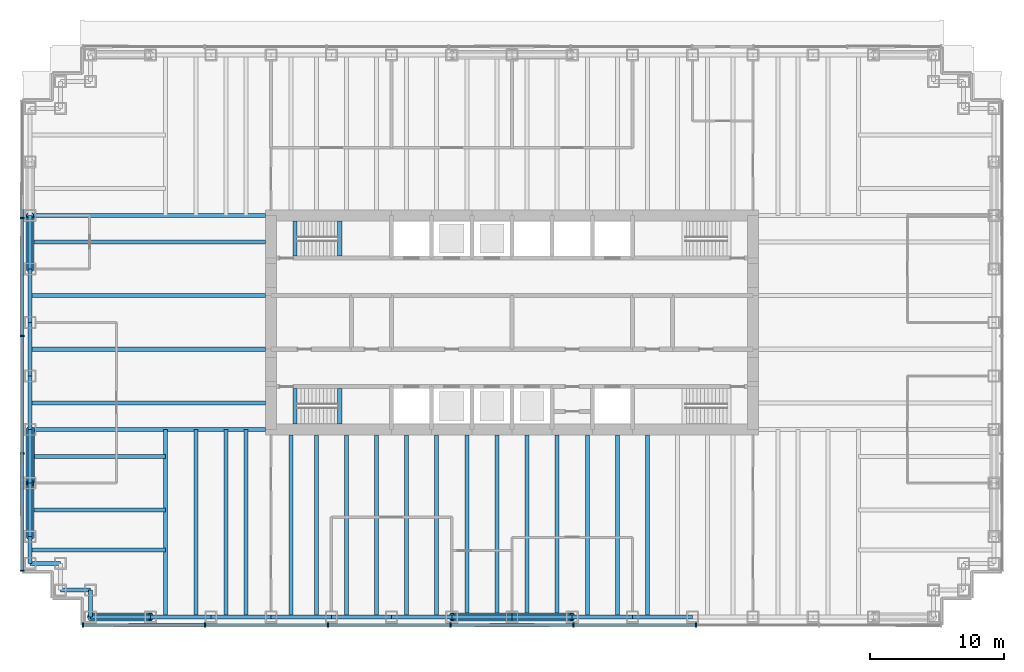
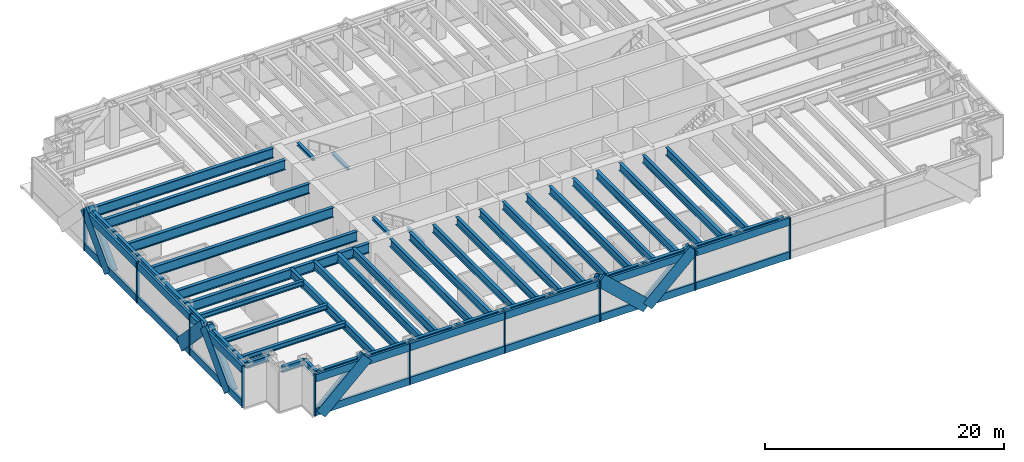
# One storey, part 2 of 14: 50 beams, 38 members, 2 elements without a shape of their own.
"""IFC4 building model written with IfcOpenShell, lengths in metres."""

from ifc_helpers import new_model, si_unit, direction, frame, origin, origin_2d, place, context, subcontext, project, spatial, rectangle, hollow_circle, i_section, extrude, material, material_profile, profile_set, type_object, element, aggregate, save


model = new_model("IFC4")

# Units and contexts
model_context = context("Model", 3, precision=1e-05, world=origin(), true_north=direction((0.0, 1.0)))
body_context = subcontext(model_context, "Body", "Model", "MODEL_VIEW")
ifc_project = project(units=[si_unit("LENGTHUNIT", "METRE"), si_unit("AREAUNIT", "SQUARE_METRE"), si_unit("VOLUMEUNIT", "CUBIC_METRE"), si_unit("PLANEANGLEUNIT", "RADIAN"), si_unit("MASSUNIT", "GRAM", prefix="KILO")], contexts=[model_context])

# Site, building, storey
site_placement = place(None, origin())
site = spatial("IfcSite", under=ifc_project, at=site_placement, CompositionType="ELEMENT")
building_placement = place(site_placement, origin())
building = spatial("IfcBuilding", under=site, at=building_placement, Name="Rheinbord Bourse Tower", CompositionType="ELEMENT")
storey_placement = place(building_placement, frame((0.0, 0.0, 185.800048828125)))
storey = spatial("IfcBuildingStorey", under=building, at=storey_placement, Name="L41", CompositionType="ELEMENT", Elevation=185.800048828125)

# Curtain wall, members
ifc_material_1 = material(Name="Dark glass and black aluminium", Category="aluminium")
curtain_wall_type = type_object("IfcCurtainWallType", Name="CW6 DARK GLASS CURTAIN WALL", PredefinedType="USERDEFINED", material=ifc_material_1)
curtain_wall_1_placement = place(storey_placement, origin())
curtain_wall_1 = element("IfcCurtainWall", 1, at=curtain_wall_1_placement, inside=storey, type_object=curtain_wall_type, Name="Curtain wall CW6 S L41", ObjectType="UNITISED CURTAIN WALL", PredefinedType="USERDEFINED")
ifc_material_2 = material(Name="Black anodised aluminium", Category="aluminium")
ifc_material_profile_1 = material_profile(ifc_material_2, rectangle(XDim=0.219970703125, YDim=1.2099609375, at=origin_2d()), Name="CW6 DIAGONAL MULLION 1210x220")
ifc_profile_set_1 = profile_set([ifc_material_profile_1], Name="Black anodised aluminium")
member_type_1 = type_object("IfcMemberType", Name="CW6 BLACK DIAGONAL MULLION", PredefinedType="USERDEFINED", material=ifc_profile_set_1)
member_1_placement = place(storey_placement, frame((4.5, 1.39990234375, 0.0), z_axis=(0.73105922506, 0.0, 0.682314010889), x_axis=(0.0, 1.0, 0.0)))
member_1 = element("IfcMember", 2, at=member_1_placement, type_object=member_type_1, Name="CW6 diagonal mullion b", ObjectType="DIAGONAL MULLION", PredefinedType="USERDEFINED", context=body_context, shape_type="SweptSolid", body=[
    extrude(rectangle(XDim=0.219970703125, YDim=1.2099609375, at=origin_2d()), origin(), (0.0, 0.0, 1.0), 6.155517578125),
])
member_2_placement = place(storey_placement, frame((36.0, 1.39990234375, 0.0), z_axis=(-0.73105922506, 0.0, 0.682314010889), x_axis=(0.0, -1.0, 0.0)))
member_2 = element("IfcMember", 3, at=member_2_placement, type_object=member_type_1, Name="CW6 diagonal mullion c", ObjectType="DIAGONAL MULLION", PredefinedType="USERDEFINED", context=body_context, shape_type="SweptSolid", body=[
    extrude(rectangle(XDim=0.219970703125, YDim=1.2099609375, at=origin_2d()), origin(), (0.0, 0.0, 1.0), 6.155517578125),
])
member_3_placement = place(storey_placement, frame((36.0, 1.39990234375, 0.0), z_axis=(0.73105922506, 0.0, 0.682314010889), x_axis=(0.0, 1.0, 0.0)))
member_3 = element("IfcMember", 4, at=member_3_placement, type_object=member_type_1, Name="CW6 diagonal mullion d", ObjectType="DIAGONAL MULLION", PredefinedType="USERDEFINED", context=body_context, shape_type="SweptSolid", body=[
    extrude(rectangle(XDim=0.219970703125, YDim=1.2099609375, at=origin_2d()), origin(), (0.0, 0.0, 1.0), 6.155517578125),
])

curtain_wall_2_placement = place(storey_placement, origin())
curtain_wall_2 = element("IfcCurtainWall", 5, at=curtain_wall_2_placement, inside=storey, type_object=curtain_wall_type, Name="Curtain wall CW6 W L41", ObjectType="UNITISED CURTAIN WALL", PredefinedType="USERDEFINED")
member_4_placement = place(storey_placement, frame((-0.60009765625, 28.0, 0.0), z_axis=(0.0, 0.689659376744, 0.724133926887), x_axis=(-1.0, 0.0, 0.0)))
member_4 = element("IfcMember", 6, at=member_4_placement, type_object=member_type_1, Name="CW6 diagonal mullion a", ObjectType="DIAGONAL MULLION", PredefinedType="USERDEFINED", context=body_context, shape_type="SweptSolid", body=[
    extrude(rectangle(XDim=0.219970703125, YDim=1.2099609375, at=origin_2d()), origin(), (0.0, 0.0, 1.0), 5.800048828125),
])
member_5_placement = place(storey_placement, frame((-0.60009765625, 16.0, 0.0), z_axis=(0.0, -0.689659376744, 0.724133926887), x_axis=(1.0, 0.0, 0.0)))
member_5 = element("IfcMember", 7, at=member_5_placement, type_object=member_type_1, Name="CW6 diagonal mullion b", ObjectType="DIAGONAL MULLION", PredefinedType="USERDEFINED", context=body_context, shape_type="SweptSolid", body=[
    extrude(rectangle(XDim=0.219970703125, YDim=1.2099609375, at=origin_2d()), origin(), (0.0, 0.0, 1.0), 5.800048828125),
])
member_6_placement = place(storey_placement, frame((-0.60009765625, 8.0, 0.0), z_axis=(0.0, 0.689659376744, 0.724133926887), x_axis=(-1.0, 0.0, 0.0)))
member_6 = element("IfcMember", 8, at=member_6_placement, type_object=member_type_1, Name="CW6 diagonal mullion d", ObjectType="DIAGONAL MULLION", PredefinedType="USERDEFINED", context=body_context, shape_type="SweptSolid", body=[
    extrude(rectangle(XDim=0.219970703125, YDim=1.2099609375, at=origin_2d()), origin(), (0.0, 0.0, 1.0), 5.800048828125),
])

# Member
ifc_material_3 = material(Name="Black anodised aluminium", Category="aluminium")
ifc_material_profile_2 = material_profile(ifc_material_3, rectangle(XDim=0.320068359375, YDim=0.10009765625, at=origin_2d()), Name="CW6 MULLION 100x320")
ifc_profile_set_2 = profile_set([ifc_material_profile_2], Name="Black anodised aluminium")
member_type_2 = type_object("IfcMemberType", Name="CW6 BLACK MULLION", PredefinedType="MULLION", material=ifc_profile_set_2)
member_7_placement = place(storey_placement, frame((3.949951171875, 1.39990234375, 0.0), z_axis=(0.0, 0.0, 1.0), x_axis=(0.0, 1.0, 0.0)))
member_7 = element("IfcMember", 9, at=member_7_placement, type_object=member_type_2, Name="CW6 mullion 1", PredefinedType="MULLION", context=body_context, shape_type="SweptSolid", body=[
    extrude(rectangle(XDim=0.320068359375, YDim=0.10009765625, at=origin_2d()), origin(), (0.0, 0.0, 1.0), 4.199951171875),
])

member_8_placement = place(storey_placement, frame((13.071533203125, 1.39990234375, 0.0), z_axis=(0.0, 0.0, 1.0), x_axis=(0.0, 1.0, 0.0)))
member_8 = element("IfcMember", 10, at=member_8_placement, type_object=member_type_2, Name="CW6 mullion 2", PredefinedType="MULLION", context=body_context, shape_type="SweptSolid", body=[
    extrude(rectangle(XDim=0.320068359375, YDim=0.10009765625, at=origin_2d()), origin(), (0.0, 0.0, 1.0), 4.199951171875),
])

member_9_placement = place(storey_placement, frame((22.242919921875, 1.39990234375, 0.0), z_axis=(0.0, 0.0, 1.0), x_axis=(0.0, 1.0, 0.0)))
member_9 = element("IfcMember", 11, at=member_9_placement, type_object=member_type_2, Name="CW6 mullion 3", PredefinedType="MULLION", context=body_context, shape_type="SweptSolid", body=[
    extrude(rectangle(XDim=0.320068359375, YDim=0.10009765625, at=origin_2d()), origin(), (0.0, 0.0, 1.0), 4.199951171875),
])

member_10_placement = place(storey_placement, frame((31.414306640625, 1.39990234375, 0.0), z_axis=(0.0, 0.0, 1.0), x_axis=(0.0, 1.0, 0.0)))
member_10 = element("IfcMember", 12, at=member_10_placement, type_object=member_type_2, Name="CW6 mullion 4", PredefinedType="MULLION", context=body_context, shape_type="SweptSolid", body=[
    extrude(rectangle(XDim=0.320068359375, YDim=0.10009765625, at=origin_2d()), origin(), (0.0, 0.0, 1.0), 4.199951171875),
])

member_11_placement = place(storey_placement, frame((40.585693359375, 1.39990234375, 0.0), z_axis=(0.0, 0.0, 1.0), x_axis=(0.0, 1.0, 0.0)))
member_11 = element("IfcMember", 13, at=member_11_placement, type_object=member_type_2, Name="CW6 mullion 5", PredefinedType="MULLION", context=body_context, shape_type="SweptSolid", body=[
    extrude(rectangle(XDim=0.320068359375, YDim=0.10009765625, at=origin_2d()), origin(), (0.0, 0.0, 1.0), 4.199951171875),
])

member_12_placement = place(storey_placement, frame((49.757080078125, 1.39990234375, 0.0), z_axis=(0.0, 0.0, 1.0), x_axis=(0.0, 1.0, 0.0)))
member_12 = element("IfcMember", 14, at=member_12_placement, type_object=member_type_2, Name="CW6 mullion 6", PredefinedType="MULLION", context=body_context, shape_type="SweptSolid", body=[
    extrude(rectangle(XDim=0.320068359375, YDim=0.10009765625, at=origin_2d()), origin(), (0.0, 0.0, 1.0), 4.199951171875),
])

member_13_placement = place(storey_placement, frame((-0.60009765625, 31.800048828125, 0.0), z_axis=(0.0, 0.0, 1.0), x_axis=(1.0, 0.0, 0.0)))
member_13 = element("IfcMember", 15, at=member_13_placement, type_object=member_type_2, Name="CW6 mullion 2", PredefinedType="MULLION", context=body_context, shape_type="SweptSolid", body=[
    extrude(rectangle(XDim=0.320068359375, YDim=0.10009765625, at=origin_2d()), origin(), (0.0, 0.0, 1.0), 4.199951171875),
])

member_14_placement = place(storey_placement, frame((-0.60009765625, 23.0, 0.0), z_axis=(0.0, 0.0, 1.0), x_axis=(1.0, 0.0, 0.0)))
member_14 = element("IfcMember", 16, at=member_14_placement, type_object=member_type_2, Name="CW6 mullion 3", PredefinedType="MULLION", context=body_context, shape_type="SweptSolid", body=[
    extrude(rectangle(XDim=0.320068359375, YDim=0.10009765625, at=origin_2d()), origin(), (0.0, 0.0, 1.0), 4.199951171875),
])

member_15_placement = place(storey_placement, frame((-0.60009765625, 14.199951171875, 0.0), z_axis=(0.0, 0.0, 1.0), x_axis=(1.0, 0.0, 0.0)))
member_15 = element("IfcMember", 17, at=member_15_placement, type_object=member_type_2, Name="CW6 mullion 4", PredefinedType="MULLION", context=body_context, shape_type="SweptSolid", body=[
    extrude(rectangle(XDim=0.320068359375, YDim=0.10009765625, at=origin_2d()), origin(), (0.0, 0.0, 1.0), 4.199951171875),
])

member_16_placement = place(storey_placement, frame((-0.60009765625, 5.449951171875, 0.0), z_axis=(0.0, 0.0, 1.0), x_axis=(1.0, 0.0, 0.0)))
member_16 = element("IfcMember", 18, at=member_16_placement, type_object=member_type_2, Name="CW6 mullion 5", PredefinedType="MULLION", context=body_context, shape_type="SweptSolid", body=[
    extrude(rectangle(XDim=0.320068359375, YDim=0.10009765625, at=origin_2d()), origin(), (0.0, 0.0, 1.0), 4.199951171875),
])

ifc_material_4 = material(Name="Black anodised aluminium", Category="aluminium")
ifc_material_profile_3 = material_profile(ifc_material_4, rectangle(XDim=0.219970703125, YDim=0.75, at=origin_2d()), Name="CW6 TRANSOM 750x220")
ifc_profile_set_3 = profile_set([ifc_material_profile_3], Name="Black anodised aluminium")
member_type_3 = type_object("IfcMemberType", Name="CW6 BLACK TRANSOM", PredefinedType="USERDEFINED", material=ifc_profile_set_3)
member_17_placement = place(storey_placement, frame((4.0, 1.39990234375, 0.375), z_axis=(1.0, 0.0, 0.0), x_axis=(0.0, 1.0, 0.0)))
member_17 = element("IfcMember", 19, at=member_17_placement, type_object=member_type_3, Name="CW6 transom 1.1", ObjectType="TRANSOM", PredefinedType="USERDEFINED", context=body_context, shape_type="SweptSolid", body=[
    extrude(rectangle(XDim=0.219970703125, YDim=0.75, at=origin_2d()), origin(), (0.0, 0.0, 1.0), 9.021484375),
])

member_18_placement = place(storey_placement, frame((4.0, 1.39990234375, 3.824951171875), z_axis=(1.0, 0.0, 0.0), x_axis=(0.0, 1.0, 0.0)))
member_18 = element("IfcMember", 20, at=member_18_placement, type_object=member_type_3, Name="CW6 transom 1.2", ObjectType="TRANSOM", PredefinedType="USERDEFINED", context=body_context, shape_type="SweptSolid", body=[
    extrude(rectangle(XDim=0.219970703125, YDim=0.75, at=origin_2d()), origin(), (0.0, 0.0, 1.0), 9.021484375),
])

member_19_placement = place(storey_placement, frame((13.121337890625, 1.39990234375, 0.375), z_axis=(1.0, 0.0, 0.0), x_axis=(0.0, 1.0, 0.0)))
member_19 = element("IfcMember", 21, at=member_19_placement, type_object=member_type_3, Name="CW6 transom 2.1", ObjectType="TRANSOM", PredefinedType="USERDEFINED", context=body_context, shape_type="SweptSolid", body=[
    extrude(rectangle(XDim=0.219970703125, YDim=0.75, at=origin_2d()), origin(), (0.0, 0.0, 1.0), 9.071533203125),
])

member_20_placement = place(storey_placement, frame((13.121337890625, 1.39990234375, 3.824951171875), z_axis=(1.0, 0.0, 0.0), x_axis=(0.0, 1.0, 0.0)))
member_20 = element("IfcMember", 22, at=member_20_placement, type_object=member_type_3, Name="CW6 transom 2.2", ObjectType="TRANSOM", PredefinedType="USERDEFINED", context=body_context, shape_type="SweptSolid", body=[
    extrude(rectangle(XDim=0.219970703125, YDim=0.75, at=origin_2d()), origin(), (0.0, 0.0, 1.0), 9.071533203125),
])

member_21_placement = place(storey_placement, frame((22.29296875, 1.39990234375, 0.375), z_axis=(1.0, 0.0, 0.0), x_axis=(0.0, 1.0, 0.0)))
member_21 = element("IfcMember", 23, at=member_21_placement, type_object=member_type_3, Name="CW6 transom 3.1", ObjectType="TRANSOM", PredefinedType="USERDEFINED", context=body_context, shape_type="SweptSolid", body=[
    extrude(rectangle(XDim=0.219970703125, YDim=0.75, at=origin_2d()), origin(), (0.0, 0.0, 1.0), 9.0712890625),
])

member_22_placement = place(storey_placement, frame((22.29296875, 1.39990234375, 3.824951171875), z_axis=(1.0, 0.0, 0.0), x_axis=(0.0, 1.0, 0.0)))
member_22 = element("IfcMember", 24, at=member_22_placement, type_object=member_type_3, Name="CW6 transom 3.2", ObjectType="TRANSOM", PredefinedType="USERDEFINED", context=body_context, shape_type="SweptSolid", body=[
    extrude(rectangle(XDim=0.219970703125, YDim=0.75, at=origin_2d()), origin(), (0.0, 0.0, 1.0), 9.0712890625),
])

member_23_placement = place(storey_placement, frame((31.46435546875, 1.39990234375, 0.375), z_axis=(1.0, 0.0, 0.0), x_axis=(0.0, 1.0, 0.0)))
member_23 = element("IfcMember", 25, at=member_23_placement, type_object=member_type_3, Name="CW6 transom 4.1", ObjectType="TRANSOM", PredefinedType="USERDEFINED", context=body_context, shape_type="SweptSolid", body=[
    extrude(rectangle(XDim=0.219970703125, YDim=0.75, at=origin_2d()), origin(), (0.0, 0.0, 1.0), 9.0712890625),
])

member_24_placement = place(storey_placement, frame((31.46435546875, 1.39990234375, 3.824951171875), z_axis=(1.0, 0.0, 0.0), x_axis=(0.0, 1.0, 0.0)))
member_24 = element("IfcMember", 26, at=member_24_placement, type_object=member_type_3, Name="CW6 transom 4.2", ObjectType="TRANSOM", PredefinedType="USERDEFINED", context=body_context, shape_type="SweptSolid", body=[
    extrude(rectangle(XDim=0.219970703125, YDim=0.75, at=origin_2d()), origin(), (0.0, 0.0, 1.0), 9.0712890625),
])

member_25_placement = place(storey_placement, frame((40.6357421875, 1.39990234375, 0.375), z_axis=(1.0, 0.0, 0.0), x_axis=(0.0, 1.0, 0.0)))
member_25 = element("IfcMember", 27, at=member_25_placement, type_object=member_type_3, Name="CW6 transom 5.1", ObjectType="TRANSOM", PredefinedType="USERDEFINED", context=body_context, shape_type="SweptSolid", body=[
    extrude(rectangle(XDim=0.219970703125, YDim=0.75, at=origin_2d()), origin(), (0.0, 0.0, 1.0), 9.0712890625),
])

member_26_placement = place(storey_placement, frame((40.6357421875, 1.39990234375, 3.824951171875), z_axis=(1.0, 0.0, 0.0), x_axis=(0.0, 1.0, 0.0)))
member_26 = element("IfcMember", 28, at=member_26_placement, type_object=member_type_3, Name="CW6 transom 5.2", ObjectType="TRANSOM", PredefinedType="USERDEFINED", context=body_context, shape_type="SweptSolid", body=[
    extrude(rectangle(XDim=0.219970703125, YDim=0.75, at=origin_2d()), origin(), (0.0, 0.0, 1.0), 9.0712890625),
])

aggregate(curtain_wall_1, [member_7, member_8, member_9, member_10, member_11, member_12, member_17, member_18, member_19, member_20, member_21, member_22, member_23, member_24, member_25, member_26, member_1, member_2, member_3])

member_27_placement = place(storey_placement, frame((-0.60009765625, 31.75, 0.375), z_axis=(0.0, -1.0, 0.0), x_axis=(1.0, 0.0, 0.0)))
member_27 = element("IfcMember", 29, at=member_27_placement, type_object=member_type_3, Name="CW6 transom 2.1", ObjectType="TRANSOM", PredefinedType="USERDEFINED", context=body_context, shape_type="SweptSolid", body=[
    extrude(rectangle(XDim=0.219970703125, YDim=0.75, at=origin_2d()), origin(), (0.0, 0.0, 1.0), 8.699951171875),
])

member_28_placement = place(storey_placement, frame((-0.60009765625, 31.75, 3.824951171875), z_axis=(0.0, -1.0, 0.0), x_axis=(1.0, 0.0, 0.0)))
member_28 = element("IfcMember", 30, at=member_28_placement, type_object=member_type_3, Name="CW6 transom 2.2", ObjectType="TRANSOM", PredefinedType="USERDEFINED", context=body_context, shape_type="SweptSolid", body=[
    extrude(rectangle(XDim=0.219970703125, YDim=0.75, at=origin_2d()), origin(), (0.0, 0.0, 1.0), 8.699951171875),
])

member_29_placement = place(storey_placement, frame((-0.60009765625, 22.949951171875, 0.375), z_axis=(0.0, -1.0, 0.0), x_axis=(1.0, 0.0, 0.0)))
member_29 = element("IfcMember", 31, at=member_29_placement, type_object=member_type_3, Name="CW6 transom 3.1", ObjectType="TRANSOM", PredefinedType="USERDEFINED", context=body_context, shape_type="SweptSolid", body=[
    extrude(rectangle(XDim=0.219970703125, YDim=0.75, at=origin_2d()), origin(), (0.0, 0.0, 1.0), 8.699951171875),
])

member_30_placement = place(storey_placement, frame((-0.60009765625, 22.949951171875, 3.824951171875), z_axis=(0.0, -1.0, 0.0), x_axis=(1.0, 0.0, 0.0)))
member_30 = element("IfcMember", 32, at=member_30_placement, type_object=member_type_3, Name="CW6 transom 3.2", ObjectType="TRANSOM", PredefinedType="USERDEFINED", context=body_context, shape_type="SweptSolid", body=[
    extrude(rectangle(XDim=0.219970703125, YDim=0.75, at=origin_2d()), origin(), (0.0, 0.0, 1.0), 8.699951171875),
])

member_31_placement = place(storey_placement, frame((-0.60009765625, 14.14990234375, 0.375), z_axis=(0.0, -1.0, 0.0), x_axis=(1.0, 0.0, 0.0)))
member_31 = element("IfcMember", 33, at=member_31_placement, type_object=member_type_3, Name="CW6 transom 4.1", ObjectType="TRANSOM", PredefinedType="USERDEFINED", context=body_context, shape_type="SweptSolid", body=[
    extrude(rectangle(XDim=0.219970703125, YDim=0.75, at=origin_2d()), origin(), (0.0, 0.0, 1.0), 8.64990234375),
])

member_32_placement = place(storey_placement, frame((-0.60009765625, 14.14990234375, 3.824951171875), z_axis=(0.0, -1.0, 0.0), x_axis=(1.0, 0.0, 0.0)))
member_32 = element("IfcMember", 34, at=member_32_placement, type_object=member_type_3, Name="CW6 transom 4.2", ObjectType="TRANSOM", PredefinedType="USERDEFINED", context=body_context, shape_type="SweptSolid", body=[
    extrude(rectangle(XDim=0.219970703125, YDim=0.75, at=origin_2d()), origin(), (0.0, 0.0, 1.0), 8.64990234375),
])

aggregate(curtain_wall_2, [member_13, member_14, member_15, member_16, member_27, member_28, member_29, member_30, member_31, member_32, member_4, member_5, member_6])

# Beams
ifc_material_5 = material(Name="Steel S460", Category="steel")
ifc_material_profile_4 = material_profile(ifc_material_5, i_section(OverallWidth=0.302001953125, OverallDepth=1.008056640625, WebThickness=0.02099609375, FlangeThickness=0.0400390625, at=origin_2d()), Name="HEM 1000")
ifc_profile_set_4 = profile_set([ifc_material_profile_4], Name="Steel S460")
beam_type_1 = type_object("IfcBeamType", Name="END BEAM HEM 1000", PredefinedType="BEAM", material=ifc_profile_set_4)
for number, where, z_axis, x_axis, name in (
    (35, (0.0, 18.0, 3.535888671875), (1.0, 0.0, 0.0), (0.0, 1.0, 0.0), "End beam west 18 L42"),
    (36, (0.0, 22.0, 3.535888671875), (1.0, 0.0, 0.0), (0.0, 1.0, 0.0), "End beam west 22 L42"),
    (37, (0.0, 26.0, 3.535888671875), (1.0, 0.0, 0.0), (0.0, 1.0, 0.0), "End beam west 26 L42"),
    (38, (0.0, 30.0, 3.535888671875), (1.0, 0.0, 0.0), (0.0, 1.0, 0.0), "End beam west 30 L42"),
):
    element("IfcBeam", number, at=place(storey_placement, frame(where, z_axis=z_axis, x_axis=x_axis)), inside=storey, type_object=beam_type_1, Name=name, PredefinedType="BEAM", context=body_context, shape_type="SweptSolid", body=[
        extrude(i_section(OverallWidth=0.302001953125, OverallDepth=1.008056640625, WebThickness=0.02099609375, FlangeThickness=0.0400390625, at=origin_2d()), origin(), (0.0, 0.0, 1.0), 17.60009765625),
    ])
ifc_material_6 = material(Name="Steel S460", Category="steel")
ifc_material_profile_5 = material_profile(ifc_material_6, i_section(OverallWidth=0.300048828125, OverallDepth=0.800048828125, WebThickness=0.017578125, FlangeThickness=0.032958984375, at=origin_2d()), Name="HEB 800")
ifc_profile_set_5 = profile_set([ifc_material_profile_5], Name="Steel S460")
beam_type_2 = type_object("IfcBeamType", Name="FLOOR BEAM HEB 800", PredefinedType="BEAM", material=ifc_profile_set_5)
for number, where, z_axis, x_axis, name in (
    (39, (10.125, 2.0, 3.639892578125), (0.0, 1.0, 0.0), (-1.0, 0.0, 0.0), "Floor beam S-9a L42"),
    (40, (12.375, 2.0, 3.639892578125), (0.0, 1.0, 0.0), (-1.0, 0.0, 0.0), "Floor beam S-9b L42"),
    (41, (14.625, 2.0, 3.639892578125), (0.0, 1.0, 0.0), (-1.0, 0.0, 0.0), "Floor beam S-13.5a L42"),
    (42, (16.125, 2.0, 3.639892578125), (0.0, 1.0, 0.0), (-1.0, 0.0, 0.0), "Floor beam S-13.5b L42"),
):
    element("IfcBeam", number, at=place(storey_placement, frame(where, z_axis=z_axis, x_axis=x_axis)), inside=storey, type_object=beam_type_2, Name=name, PredefinedType="BEAM", context=body_context, shape_type="SweptSolid", body=[
        extrude(i_section(OverallWidth=0.300048828125, OverallDepth=0.800048828125, WebThickness=0.017578125, FlangeThickness=0.032958984375, at=origin_2d()), origin(), (0.0, 0.0, 1.0), 14.0),
    ])
for number, where, z_axis, x_axis, name in (
    (43, (19.5, 2.0, 3.639892578125), (0.0, 1.0, 0.0), (-1.0, 0.0, 0.0), "Floor beam S-18a L42"),
    (44, (21.375, 2.0, 3.639892578125), (0.0, 1.0, 0.0), (-1.0, 0.0, 0.0), "Floor beam S-18b L42"),
    (45, (23.625, 2.0, 3.639892578125), (0.0, 1.0, 0.0), (-1.0, 0.0, 0.0), "Floor beam S-22.5a L42"),
    (46, (25.875, 2.0, 3.639892578125), (0.0, 1.0, 0.0), (-1.0, 0.0, 0.0), "Floor beam S-22.5b L42"),
    (47, (28.125, 2.0, 3.639892578125), (0.0, 1.0, 0.0), (-1.0, 0.0, 0.0), "Floor beam S-27a L42"),
    (48, (30.375, 2.0, 3.639892578125), (0.0, 1.0, 0.0), (-1.0, 0.0, 0.0), "Floor beam S-27b L42"),
    (49, (32.625, 2.0, 3.639892578125), (0.0, 1.0, 0.0), (-1.0, 0.0, 0.0), "Floor beam S-31.5a L42"),
    (50, (34.875, 2.0, 3.639892578125), (0.0, 1.0, 0.0), (-1.0, 0.0, 0.0), "Floor beam S-31.5b L42"),
    (51, (37.125, 2.0, 3.639892578125), (0.0, 1.0, 0.0), (-1.0, 0.0, 0.0), "Floor beam S-36a L42"),
    (52, (39.375, 2.0, 3.639892578125), (0.0, 1.0, 0.0), (-1.0, 0.0, 0.0), "Floor beam S-36b L42"),
    (53, (41.625, 2.0, 3.639892578125), (0.0, 1.0, 0.0), (-1.0, 0.0, 0.0), "Floor beam S-40.5a L42"),
    (54, (43.875, 2.0, 3.639892578125), (0.0, 1.0, 0.0), (-1.0, 0.0, 0.0), "Floor beam S-40.5b L42"),
    (55, (46.125, 2.0, 3.639892578125), (0.0, 1.0, 0.0), (-1.0, 0.0, 0.0), "Floor beam S-45a L42"),
):
    element("IfcBeam", number, at=place(storey_placement, frame(where, z_axis=z_axis, x_axis=x_axis)), inside=storey, type_object=beam_type_2, Name=name, PredefinedType="BEAM", context=body_context, shape_type="SweptSolid", body=[
        extrude(i_section(OverallWidth=0.300048828125, OverallDepth=0.800048828125, WebThickness=0.017578125, FlangeThickness=0.032958984375, at=origin_2d()), origin(), (0.0, 0.0, 1.0), 13.60009765625),
    ])
ifc_material_7 = material(Name="Steel S460", Category="steel")
ifc_material_profile_6 = material_profile(ifc_material_7, i_section(OverallWidth=0.302001953125, OverallDepth=1.008056640625, WebThickness=0.02099609375, FlangeThickness=0.0400390625, at=origin_2d()), Name="HEM 1000")
ifc_profile_set_6 = profile_set([ifc_material_profile_6], Name="Steel S460")
beam_type_3 = type_object("IfcBeamType", Name="GIRDER HEM 1000", PredefinedType="BEAM", material=ifc_profile_set_6)
for number, where, z_axis, x_axis, name in (
    (56, (0.0, 16.0, 3.535888671875), (1.0, 0.0, 0.0), (0.0, 1.0, 0.0), "Girder west 16 L42"),
    (57, (0.0, 32.0, 3.535888671875), (1.0, 0.0, 0.0), (0.0, 1.0, 0.0), "Girder west 32 L42"),
):
    element("IfcBeam", number, at=place(storey_placement, frame(where, z_axis=z_axis, x_axis=x_axis)), inside=storey, type_object=beam_type_3, Name=name, PredefinedType="BEAM", context=body_context, shape_type="SweptSolid", body=[
        extrude(i_section(OverallWidth=0.302001953125, OverallDepth=1.008056640625, WebThickness=0.02099609375, FlangeThickness=0.0400390625, at=origin_2d()), origin(), (0.0, 0.0, 1.0), 17.60009765625),
    ])
ifc_material_8 = material(Name="Steel S460", Category="steel")
ifc_material_profile_7 = material_profile(ifc_material_8, i_section(OverallWidth=0.300048828125, OverallDepth=0.300048828125, WebThickness=0.010986328125, FlangeThickness=0.01904296875, at=origin_2d()), Name="HEB 300")
ifc_profile_set_7 = profile_set([ifc_material_profile_7], Name="Steel S460")
beam_type_4 = type_object("IfcBeamType", Name="LANDING TRIMMER HEB 300", PredefinedType="BEAM", material=ifc_profile_set_7)
for number, where, z_axis, x_axis, name in (
    (58, (23.1298828125, 16.39990234375, 1.75), (0.0, 1.0, 0.0), (-1.0, 0.0, 0.0), "Landing trimmer ST1 L41"),
    (59, (19.800048828125, 16.39990234375, 3.889892578125), (0.0, 1.0, 0.0), (-1.0, 0.0, 0.0), "Well trimmer ST1 under L42"),
    (60, (23.1298828125, 28.949951171875, 1.75), (0.0, 1.0, 0.0), (-1.0, 0.0, 0.0), "Landing trimmer ST2 L41"),
    (61, (19.800048828125, 28.949951171875, 3.889892578125), (0.0, 1.0, 0.0), (-1.0, 0.0, 0.0), "Well trimmer ST2 under L42"),
):
    element("IfcBeam", number, at=place(storey_placement, frame(where, z_axis=z_axis, x_axis=x_axis)), inside=storey, type_object=beam_type_4, Name=name, PredefinedType="BEAM", context=body_context, shape_type="SweptSolid", body=[
        extrude(i_section(OverallWidth=0.300048828125, OverallDepth=0.300048828125, WebThickness=0.010986328125, FlangeThickness=0.01904296875, at=origin_2d()), origin(), (0.0, 0.0, 1.0), 2.650146484375),
    ])

# Members
ifc_material_9 = material(Name="Steel S460", Category="steel")
ifc_material_profile_8 = material_profile(ifc_material_9, hollow_circle(Radius=0.304931640625, WallThickness=0.0400390625, at=origin_2d()), Name="CHS 610x40")
ifc_profile_set_8 = profile_set([ifc_material_profile_8], Name="Steel S460")
member_type_4 = type_object("IfcMemberType", Name="MEGABRACE CHS 610x40", PredefinedType="BRACE", material=ifc_profile_set_8)
for number, where, z_axis, x_axis, name in (
    (62, (4.5, 2.0, 0.0), (0.73105922506, 0.0, 0.682314010889), (0.0, 1.0, 0.0), "Megabrace S face line b L41"),
    (63, (36.0, 2.0, 0.0), (-0.73105922506, 0.0, 0.682314010889), (0.0, -1.0, 0.0), "Megabrace S face line c L41"),
    (64, (36.0, 2.0, 0.0), (0.73105922506, 0.0, 0.682314010889), (0.0, 1.0, 0.0), "Megabrace S face line d L41"),
):
    element("IfcMember", number, at=place(storey_placement, frame(where, z_axis=z_axis, x_axis=x_axis)), inside=storey, type_object=member_type_4, Name=name, PredefinedType="BRACE", context=body_context, shape_type="SweptSolid", body=[
        extrude(hollow_circle(Radius=0.304931640625, WallThickness=0.0400390625, at=origin_2d()), origin(), (0.0, 0.0, 1.0), 6.155517578125),
    ])
for number, where, z_axis, x_axis, name in (
    (65, (0.0, 28.0, 0.0), (0.0, 0.689659376744, 0.724133926887), (-1.0, 0.0, 0.0), "Megabrace W face line a L41"),
    (66, (0.0, 16.0, 0.0), (0.0, -0.689659376744, 0.724133926887), (1.0, 0.0, 0.0), "Megabrace W face line b L41"),
    (67, (0.0, 8.0, 0.0), (0.0, 0.689659376744, 0.724133926887), (-1.0, 0.0, 0.0), "Megabrace W face line d L41"),
):
    element("IfcMember", number, at=place(storey_placement, frame(where, z_axis=z_axis, x_axis=x_axis)), inside=storey, type_object=member_type_4, Name=name, PredefinedType="BRACE", context=body_context, shape_type="SweptSolid", body=[
        extrude(hollow_circle(Radius=0.304931640625, WallThickness=0.0400390625, at=origin_2d()), origin(), (0.0, 0.0, 1.0), 5.800048828125),
    ])

# Beams
ifc_material_10 = material(Name="Steel S460", Category="steel")
ifc_material_profile_9 = material_profile(ifc_material_10, i_section(OverallWidth=0.300048828125, OverallDepth=0.60009765625, WebThickness=0.015380859375, FlangeThickness=0.030029296875, at=origin_2d()), Name="HEB 600")
ifc_profile_set_9 = profile_set([ifc_material_profile_9], Name="Steel S460")
beam_type_5 = type_object("IfcBeamType", Name="SPANDREL HEB 600", PredefinedType="SPANDREL", material=ifc_profile_set_9)
for number, where, z_axis, x_axis, name in (
    (68, (4.5, 2.0, 3.739990234375), (1.0, 0.0, 0.0), (0.0, 1.0, 0.0), "Spandrel SW-E-S-9 under L42"),
    (69, (9.0, 2.0, 3.739990234375), (1.0, 0.0, 0.0), (0.0, 1.0, 0.0), "Spandrel S-9-S-13.5 under L42"),
    (70, (13.5, 2.0, 3.739990234375), (1.0, 0.0, 0.0), (0.0, 1.0, 0.0), "Spandrel S-13.5-S-18 under L42"),
    (71, (18.0, 2.0, 3.739990234375), (1.0, 0.0, 0.0), (0.0, 1.0, 0.0), "Spandrel S-18-S-22.5 under L42"),
    (72, (22.5, 2.0, 3.739990234375), (1.0, 0.0, 0.0), (0.0, 1.0, 0.0), "Spandrel S-22.5-S-27 under L42"),
    (73, (27.0, 2.0, 3.739990234375), (1.0, 0.0, 0.0), (0.0, 1.0, 0.0), "Spandrel S-27-S-31.5 under L42"),
    (74, (31.5, 2.0, 3.739990234375), (1.0, 0.0, 0.0), (0.0, 1.0, 0.0), "Spandrel S-31.5-S-36 under L42"),
    (75, (36.0, 2.0, 3.739990234375), (1.0, 0.0, 0.0), (0.0, 1.0, 0.0), "Spandrel S-36-S-40.5 under L42"),
    (76, (40.5, 2.0, 3.739990234375), (1.0, 0.0, 0.0), (0.0, 1.0, 0.0), "Spandrel S-40.5-S-45 under L42"),
    (77, (45.0, 2.0, 3.739990234375), (1.0, 0.0, 0.0), (0.0, 1.0, 0.0), "Spandrel S-45-S-49.5 under L42"),
):
    element("IfcBeam", number, at=place(storey_placement, frame(where, z_axis=z_axis, x_axis=x_axis)), inside=storey, type_object=beam_type_5, Name=name, PredefinedType="SPANDREL", context=body_context, shape_type="SweptSolid", body=[
        extrude(i_section(OverallWidth=0.300048828125, OverallDepth=0.60009765625, WebThickness=0.015380859375, FlangeThickness=0.030029296875, at=origin_2d()), origin(), (0.0, 0.0, 1.0), 4.5),
    ])
for number, where, z_axis, x_axis, name in (
    (78, (0.0, 32.0, 3.739990234375), (0.0, -1.0, 0.0), (1.0, 0.0, 0.0), "Spandrel W-32-W-28 under L42"),
    (79, (0.0, 28.0, 3.739990234375), (0.0, -1.0, 0.0), (1.0, 0.0, 0.0), "Spandrel W-28-W-24 under L42"),
    (80, (0.0, 24.0, 3.739990234375), (0.0, -1.0, 0.0), (1.0, 0.0, 0.0), "Spandrel W-24-W-20 under L42"),
    (81, (0.0, 20.0, 3.739990234375), (0.0, -1.0, 0.0), (1.0, 0.0, 0.0), "Spandrel W-20-W-16 under L42"),
    (82, (0.0, 16.0, 3.739990234375), (0.0, -1.0, 0.0), (1.0, 0.0, 0.0), "Spandrel W-16-W-12 under L42"),
    (83, (0.0, 12.0, 3.739990234375), (0.0, -1.0, 0.0), (1.0, 0.0, 0.0), "Spandrel W-12-W-8 under L42"),
):
    element("IfcBeam", number, at=place(storey_placement, frame(where, z_axis=z_axis, x_axis=x_axis)), inside=storey, type_object=beam_type_5, Name=name, PredefinedType="SPANDREL", context=body_context, shape_type="SweptSolid", body=[
        extrude(i_section(OverallWidth=0.300048828125, OverallDepth=0.60009765625, WebThickness=0.015380859375, FlangeThickness=0.030029296875, at=origin_2d()), origin(), (0.0, 0.0, 1.0), 4.0),
    ])
beam_1_placement = place(storey_placement, frame((0.0, 8.0, 3.739990234375), z_axis=(0.0, -1.0, 0.0), x_axis=(1.0, 0.0, 0.0)))
element("IfcBeam", 84, at=beam_1_placement, inside=storey, type_object=beam_type_5, Name="Spandrel W-8-SW-A under L42", PredefinedType="SPANDREL", context=body_context, shape_type="SweptSolid", body=[
    extrude(i_section(OverallWidth=0.300048828125, OverallDepth=0.60009765625, WebThickness=0.015380859375, FlangeThickness=0.030029296875, at=origin_2d()), origin(), (0.0, 0.0, 1.0), 2.0),
])
for number, where, z_axis, x_axis, name in (
    (85, (0.0, 6.0, 3.739990234375), (1.0, 0.0, 0.0), (0.0, 1.0, 0.0), "Spandrel SW-A-SW-B under L42"),
    (86, (2.25, 4.0, 3.739990234375), (1.0, 0.0, 0.0), (0.0, 1.0, 0.0), "Spandrel SW-C-SW-D under L42"),
):
    element("IfcBeam", number, at=place(storey_placement, frame(where, z_axis=z_axis, x_axis=x_axis)), inside=storey, type_object=beam_type_5, Name=name, PredefinedType="SPANDREL", context=body_context, shape_type="SweptSolid", body=[
        extrude(i_section(OverallWidth=0.300048828125, OverallDepth=0.60009765625, WebThickness=0.015380859375, FlangeThickness=0.030029296875, at=origin_2d()), origin(), (0.0, 0.0, 1.0), 2.25),
    ])
beam_2_placement = place(storey_placement, frame((4.5, 4.0, 3.739990234375), z_axis=(0.0, -1.0, 0.0), x_axis=(1.0, 0.0, 0.0)))
element("IfcBeam", 87, at=beam_2_placement, inside=storey, type_object=beam_type_5, Name="Spandrel SW-D-SW-E under L42", PredefinedType="SPANDREL", context=body_context, shape_type="SweptSolid", body=[
    extrude(i_section(OverallWidth=0.300048828125, OverallDepth=0.60009765625, WebThickness=0.015380859375, FlangeThickness=0.030029296875, at=origin_2d()), origin(), (0.0, 0.0, 1.0), 2.0),
])
ifc_material_11 = material(Name="Steel S460", Category="steel")
ifc_material_profile_10 = material_profile(ifc_material_11, i_section(OverallWidth=0.300048828125, OverallDepth=0.5, WebThickness=0.014404296875, FlangeThickness=0.028076171875, at=origin_2d()), Name="HEB 500")
ifc_profile_set_10 = profile_set([ifc_material_profile_10], Name="Steel S460")
beam_type_6 = type_object("IfcBeamType", Name="TIE BEAM HEB 500", PredefinedType="JOIST", material=ifc_profile_set_10)
for number, where, z_axis, x_axis, name in (
    (88, (0.0, 7.0, 3.7900390625), (1.0, 0.0, 0.0), (0.0, 1.0, 0.0), "Tie west 7 L42"),
    (89, (0.0, 10.0, 3.7900390625), (1.0, 0.0, 0.0), (0.0, 1.0, 0.0), "Tie west 10 L42"),
    (90, (0.0, 14.0, 3.7900390625), (1.0, 0.0, 0.0), (0.0, 1.0, 0.0), "Tie west 14 L42"),
):
    element("IfcBeam", number, at=place(storey_placement, frame(where, z_axis=z_axis, x_axis=x_axis)), inside=storey, type_object=beam_type_6, Name=name, PredefinedType="JOIST", context=body_context, shape_type="SweptSolid", body=[
        extrude(i_section(OverallWidth=0.300048828125, OverallDepth=0.5, WebThickness=0.014404296875, FlangeThickness=0.028076171875, at=origin_2d()), origin(), (0.0, 0.0, 1.0), 10.125),
    ])

save(model, "model.ifc")
